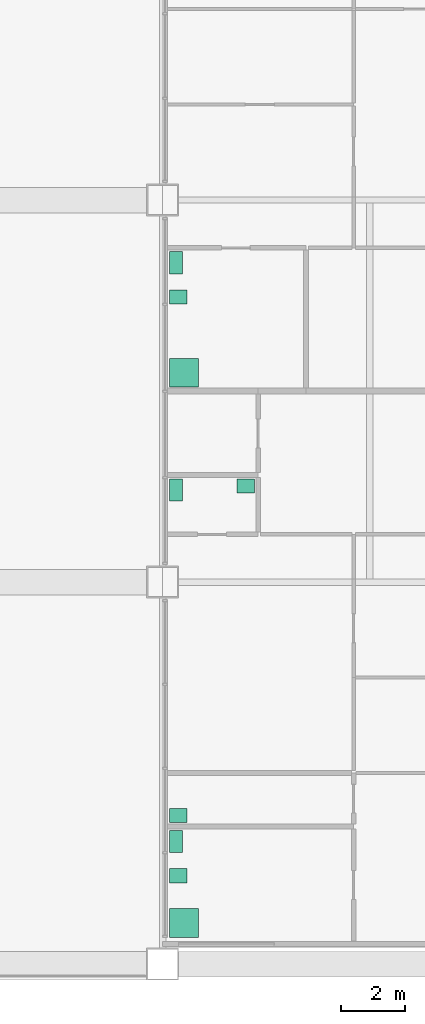
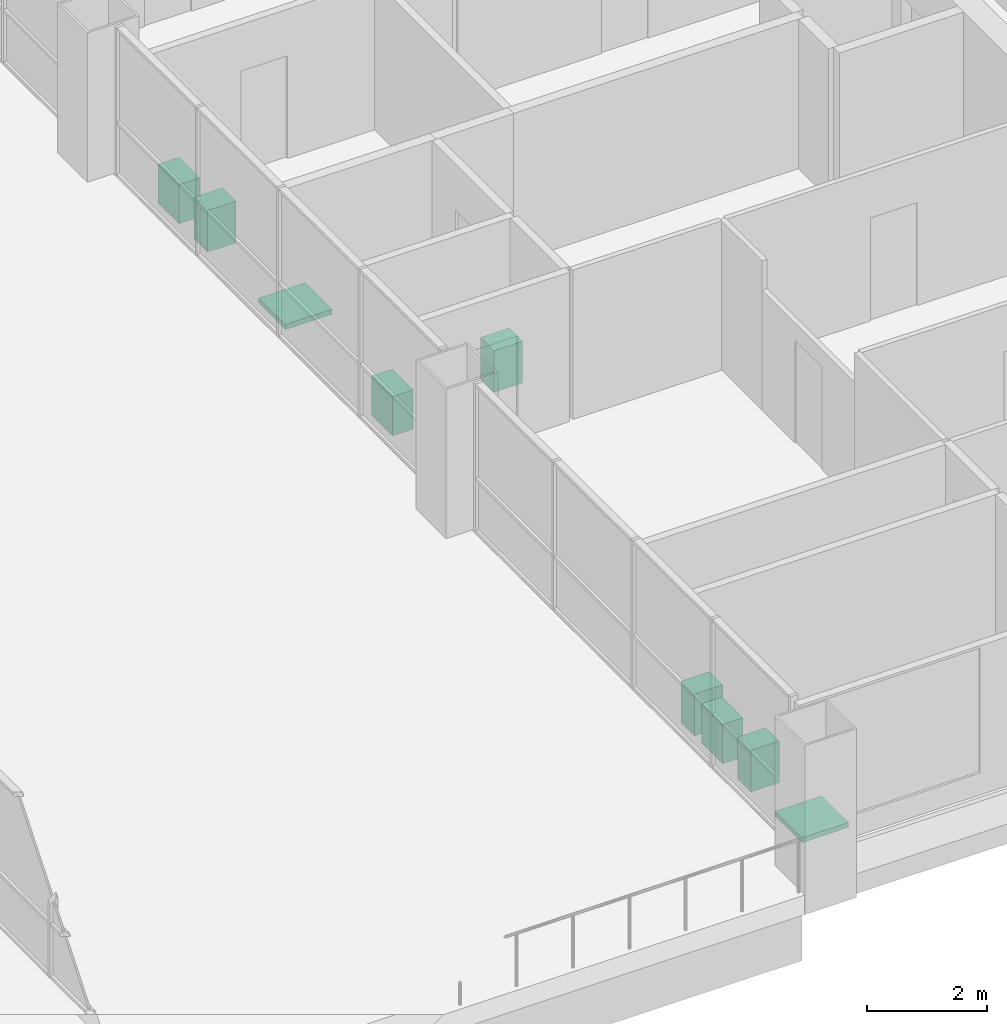
# One storey, part 12 of 12: 9 sanitary terminals.
"""IFC4 building model written with IfcOpenShell, lengths in metres."""

import ifcopenshell
import ifcopenshell.guid

model = None  # the IFC model being written
_history = None  # IfcOwnerHistory: only IFC2X3 demands one
_inside = {}  # id of a spatial element -> (the spatial element, [elements in it])
_under = {}  # id of a project, library or spatial element -> (it, [spatial elements below it])
_declared = {}  # id of a project -> (the project, [libraries it declares])
_typed = {}  # id of a type object -> (the type object, [elements of that type])
_made_of = {}  # id of a material, layer set ... -> (it, [elements and type objects made of it])


def new_model(schema):
    """Start an empty IFC model of exactly this schema.

    Asked for "IFC4X3", IfcOpenShell would pick the latest addendum, in which some entities
    have other attributes; the version numbers below select the first issue.
    IFC2X3 requires an IfcOwnerHistory on every rooted entity: one is made here for all.
    """
    global model, _history
    if schema == "IFC4X3":
        model = ifcopenshell.file(schema_version=(4, 3, 0, 0))
    else:
        model = ifcopenshell.file(schema=schema)
    _inside.clear()
    _under.clear()
    _declared.clear()
    _typed.clear()
    _made_of.clear()
    _history = None
    if model.schema == "IFC2X3":
        org = make("IfcOrganization", Name="unknown")
        user = make(
            "IfcPersonAndOrganization",
            ThePerson=make("IfcPerson", FamilyName="unknown"),
            TheOrganization=org,
        )
        app = make(
            "IfcApplication",
            ApplicationDeveloper=org,
            Version="unknown",
            ApplicationFullName="unknown",
            ApplicationIdentifier="unknown",
        )
        _history = make(
            "IfcOwnerHistory",
            OwningUser=user,
            OwningApplication=app,
            ChangeAction="ADDED",
            CreationDate=0,
        )
    return model


def make(cls, **values):
    """One entity of the class cls with the attributes given. An attribute that is None is left unset."""
    return model.create_entity(
        cls, **{name: value for name, value in values.items() if value is not None}
    )


def rooted(cls, **values):
    """An entity with a GlobalId (a new one), such as an element, a storey or a relation."""
    return make(cls, GlobalId=ifcopenshell.guid.new(), OwnerHistory=_history, **values)


def si_unit(unit_type, name, prefix=None):
    """IfcSIUnit, for example si_unit("LENGTHUNIT", "METRE", prefix="MILLI")."""
    return make("IfcSIUnit", UnitType=unit_type, Prefix=prefix, Name=name)


def assignment(units):
    """IfcUnitAssignment: the units of a project."""
    return None if units is None else make("IfcUnitAssignment", Units=units)


def point(xyz):
    """IfcCartesianPoint."""
    return None if xyz is None else make("IfcCartesianPoint", Coordinates=xyz)


def direction(xyz):
    """IfcDirection."""
    return None if xyz is None else make("IfcDirection", DirectionRatios=xyz)


def frame(location, z_axis=None, x_axis=None):
    """IfcAxis2Placement3D, a coordinate frame: its origin and axes. An axis left out is left unset."""
    return make(
        "IfcAxis2Placement3D",
        Location=point(location),
        Axis=direction(z_axis),
        RefDirection=direction(x_axis),
    )


def frame_2d(location, x_axis=None):
    """IfcAxis2Placement2D, a coordinate frame in the plane: its origin and x axis."""
    return make(
        "IfcAxis2Placement2D", Location=point(location), RefDirection=direction(x_axis)
    )


def origin():
    """The frame at (0, 0, 0) with its axes left unset."""
    return frame((0.0, 0.0, 0.0))


def origin_2d():
    """The frame at (0, 0) in the plane with its x axis left unset."""
    return frame_2d((0.0, 0.0))


def place(relative_to, where):
    """IfcLocalPlacement: puts the frame where relative to a parent placement (None: the world)."""
    return make(
        "IfcLocalPlacement", PlacementRelTo=relative_to, RelativePlacement=where
    )


def context(
    kind, dimensions, precision=None, world=None, true_north=None, identifier=None
):
    """IfcGeometricRepresentationContext, for example the 3D "Model" context."""
    return make(
        "IfcGeometricRepresentationContext",
        ContextIdentifier=identifier,
        ContextType=kind,
        CoordinateSpaceDimension=dimensions,
        Precision=precision,
        WorldCoordinateSystem=world,
        TrueNorth=true_north,
    )


def subcontext(parent, identifier, kind, view, scale=None):
    """IfcGeometricRepresentationSubContext, for example "Body" below "Model"."""
    return make(
        "IfcGeometricRepresentationSubContext",
        ContextIdentifier=identifier,
        ContextType=kind,
        ParentContext=parent,
        TargetScale=scale,
        TargetView=view,
    )


def project(units=None, contexts=None):
    """IfcProject with its units and contexts."""
    return rooted(
        "IfcProject",
        Name="project",
        RepresentationContexts=contexts,
        UnitsInContext=assignment(units),
    )


def spatial(cls, under=None, at=None, **own):
    """A site, building, storey or space (cls), placed at a placement, below another one or the project."""
    s = rooted(cls, ObjectPlacement=at, **own)
    if under is not None:
        _under.setdefault(under.id(), (under, []))[1].append(s)
    return s


def profile(cls, at=None, kind="AREA", **sizes):
    """A parametric profile (cls). Its sizes go by their IFC names, for example OverallWidth=200.0."""
    return make(cls, ProfileType=kind, Position=at, **sizes)


def rectangle(**sizes):
    """IfcRectangleProfileDef."""
    return profile("IfcRectangleProfileDef", **sizes)


def extrude(swept, where, along, depth):
    """IfcExtrudedAreaSolid: the profile swept, set in the frame where, extruded along a direction by depth."""
    return make(
        "IfcExtrudedAreaSolid",
        SweptArea=swept,
        Position=where,
        ExtrudedDirection=direction(along),
        Depth=depth,
    )


def shape(context_of_items, identifier, shape_type, items):
    """IfcShapeRepresentation: the items that make up one representation, for example the "Body"."""
    return make(
        "IfcShapeRepresentation",
        ContextOfItems=context_of_items,
        RepresentationIdentifier=identifier,
        RepresentationType=shape_type,
        Items=items,
    )


def material(Name=None, Category=None):
    """IfcMaterial."""
    return make("IfcMaterial", Name=Name, Category=Category)


def made_of(thing, what):
    """Note that an element or type object is made of a material, layer set ...; save() writes the relation."""
    if what is not None:
        _made_of.setdefault(what.id(), (what, []))[1].append(thing)
    return thing


def type_object(cls, material=None, **own):
    """A type object (cls), such as IfcWallType, which elements share."""
    return made_of(rooted(cls, **own), material)


def element(
    cls,
    number,
    at=None,
    inside=None,
    cuts=None,
    type_object=None,
    material=None,
    context=None,
    identifier="Body",
    shape_type=None,
    held_by="IfcProductDefinitionShape",
    body=None,
    shapes=None,
    **own,
):
    """One element of the class cls, such as IfcWall. Its Tag is "e" and its number.

    at: its placement. inside: the storey or other place that contains it. cuts: it is an
    opening in that element (IfcRelVoidsElement). A single representation is given by context,
    identifier, shape_type and body (its items); several are given by shapes. held_by: the class
    of the entity that holds the representations. save() writes the other relations.
    """
    e = rooted(cls, Tag="e%d" % number, ObjectPlacement=at, **own)
    if body is not None:
        shapes = [shape(context, identifier, shape_type, body)]
    if shapes is not None:
        e.Representation = make(held_by, Representations=shapes)
    if inside is not None:
        _inside.setdefault(inside.id(), (inside, []))[1].append(e)
    if cuts is not None:
        rooted(
            "IfcRelVoidsElement", RelatingBuildingElement=cuts, RelatedOpeningElement=e
        )
    if type_object is not None:
        _typed.setdefault(type_object.id(), (type_object, []))[1].append(e)
    return made_of(e, material)


def aggregate(whole, parts):
    """IfcRelAggregates: a whole, such as a stair, and the parts it consists of."""
    return rooted("IfcRelAggregates", RelatingObject=whole, RelatedObjects=parts)


def save(model, path):
    """Write the relations noted so far, then the file.

    IfcRelAggregates (storeys below a building ...), IfcRelContainedInSpatialStructure (elements
    in a storey), IfcRelDefinesByType, IfcRelAssociatesMaterial and IfcRelDeclares: one each for
    every whole, place, type object, material and project.
    """
    for whole, parts in _under.values():
        aggregate(whole, parts)
    for where, things in _inside.values():
        rooted(
            "IfcRelContainedInSpatialStructure",
            RelatedElements=things,
            RelatingStructure=where,
        )
    for kind, things in _typed.values():
        rooted("IfcRelDefinesByType", RelatedObjects=things, RelatingType=kind)
    for what, things in _made_of.values():
        rooted("IfcRelAssociatesMaterial", RelatedObjects=things, RelatingMaterial=what)
    for by, libraries in _declared.values():
        rooted("IfcRelDeclares", RelatingContext=by, RelatedDefinitions=libraries)
    model.write(path)


model = new_model("IFC4")

# Units and contexts
model_context = context("Model", 3, precision=1e-05, world=origin(), true_north=direction((0.0, 1.0)))
body_context = subcontext(model_context, "Body", "Model", "MODEL_VIEW")
ifc_project = project(units=[si_unit("LENGTHUNIT", "METRE"), si_unit("AREAUNIT", "SQUARE_METRE"), si_unit("VOLUMEUNIT", "CUBIC_METRE"), si_unit("PLANEANGLEUNIT", "RADIAN"), si_unit("MASSUNIT", "GRAM", prefix="KILO")], contexts=[model_context])

# Site, building, storey
site_placement = place(None, origin())
site = spatial("IfcSite", under=ifc_project, at=site_placement, CompositionType="ELEMENT")
building_placement = place(site_placement, origin())
building = spatial("IfcBuilding", under=site, at=building_placement, Name="Kitamizu Gate Tower and Museum", CompositionType="ELEMENT")
storey_placement = place(building_placement, frame((0.0, 0.0, 249.0)))
storey = spatial("IfcBuildingStorey", under=building, at=storey_placement, Name="L67", CompositionType="ELEMENT", Elevation=249.0)

# Sanitary terminals
ifc_material_1 = material(Name="Acrylic")
sanitary_terminal_type_1 = type_object("IfcSanitaryTerminalType", Name="Shower tray", PredefinedType="SHOWER", material=ifc_material_1)
for number, where, z_axis, x_axis, name in (
    (1, (36.669921875, 13.2900390625, 0.0009765625), (0.0, 0.0, 1.0), (1.0, 0.0, 0.0), "Shower tray En-suite bathroom 67C"),
    (2, (36.669921875, 30.570068359375, 0.0009765625), (0.0, 0.0, 1.0), (1.0, 0.0, 0.0), "Shower tray En-suite bathroom and WC 67D"),
):
    element("IfcSanitaryTerminal", number, at=place(storey_placement, frame(where, z_axis=z_axis, x_axis=x_axis)), inside=storey, type_object=sanitary_terminal_type_1, Name=name, PredefinedType="SHOWER", context=body_context, shape_type="SweptSolid", body=[
        extrude(rectangle(XDim=0.89990234375, YDim=0.89990234375, at=origin_2d()), origin(), (0.0, 0.0, 1.0), 0.10009765625),
    ])
ifc_material_2 = material(Name="Vitreous china")
sanitary_terminal_type_2 = type_object("IfcSanitaryTerminalType", Name="Wash hand basin", PredefinedType="WASHHANDBASIN", material=ifc_material_2)
for number, where, z_axis, x_axis, name in (
    (3, (36.4951171875, 14.77490234375, 0.0009765625), (0.0, 0.0, 1.0), (1.0, 0.0, 0.0), "Wash hand basin En-suite bathroom 67C"),
    (4, (36.4951171875, 16.6650390625, 0.0009765625), (0.0, 0.0, 1.0), (1.0, 0.0, 0.0), "Wash hand basin Wash room 67C"),
    (5, (38.60498046875, 27.01708984375, 0.0009765625), (0.0, 0.0, 1.0), (1.0, 0.0, 0.0), "Wash hand basin WC 67C"),
    (6, (36.4951171875, 32.955078125, 0.0009765625), (0.0, 0.0, 1.0), (1.0, 0.0, 0.0), "Wash hand basin En-suite bathroom and WC 67D"),
):
    element("IfcSanitaryTerminal", number, at=place(storey_placement, frame(where, z_axis=z_axis, x_axis=x_axis)), inside=storey, type_object=sanitary_terminal_type_2, Name=name, PredefinedType="WASHHANDBASIN", context=body_context, shape_type="SweptSolid", body=[
        extrude(rectangle(XDim=0.550048828125, YDim=0.449951171875, at=origin_2d()), origin(), (0.0, 0.0, 1.0), 0.85009765625),
    ])
ifc_material_3 = material(Name="Vitreous china")
sanitary_terminal_type_3 = type_object("IfcSanitaryTerminalType", Name="Water closet", PredefinedType="TOILETPAN", material=ifc_material_3)
for number, where, z_axis, x_axis, name in (
    (7, (36.419921875, 15.85009765625, 0.0009765625), (0.0, 0.0, 1.0), (1.0, 0.0, 0.0), "Water closet En-suite bathroom 67C"),
    (8, (36.419921875, 26.89208984375, 0.0009765625), (0.0, 0.0, 1.0), (1.0, 0.0, 0.0), "Water closet WC 67C"),
    (9, (36.419921875, 34.030029296875, 0.0009765625), (0.0, 0.0, 1.0), (1.0, 0.0, 0.0), "Water closet En-suite bathroom and WC 67D"),
):
    element("IfcSanitaryTerminal", number, at=place(storey_placement, frame(where, z_axis=z_axis, x_axis=x_axis)), inside=storey, type_object=sanitary_terminal_type_3, Name=name, PredefinedType="TOILETPAN", context=body_context, shape_type="SweptSolid", body=[
        extrude(rectangle(XDim=0.39990234375, YDim=0.699951171875, at=origin_2d()), origin(), (0.0, 0.0, 1.0), 0.800048828125),
    ])

save(model, "model.ifc")
